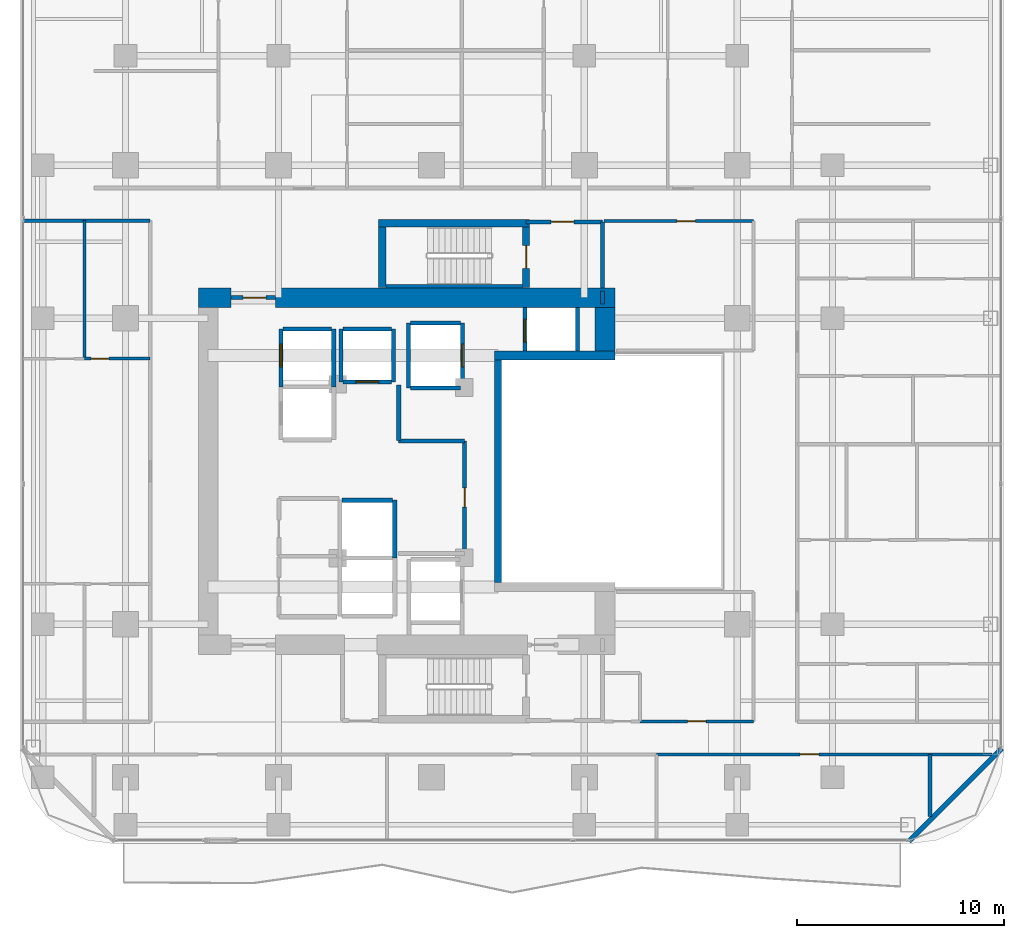
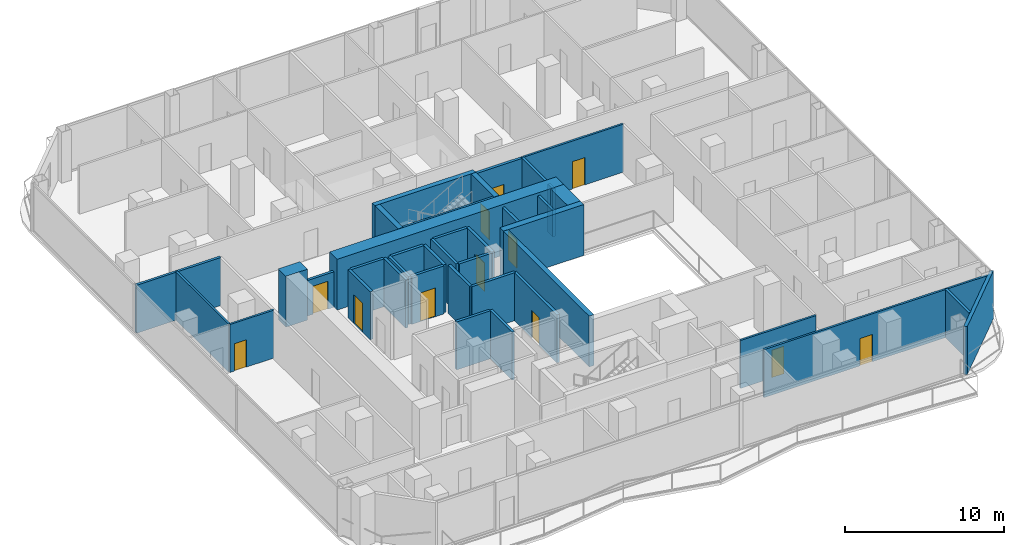
# One storey, part 21 of 27: 39 walls, 12 doors, 12 openings.
"""IFC4 building model written with IfcOpenShell, lengths in metres."""

import ifcopenshell
import ifcopenshell.guid

model = None  # the IFC model being written
_history = None  # IfcOwnerHistory: only IFC2X3 demands one
_inside = {}  # id of a spatial element -> (the spatial element, [elements in it])
_under = {}  # id of a project, library or spatial element -> (it, [spatial elements below it])
_declared = {}  # id of a project -> (the project, [libraries it declares])
_typed = {}  # id of a type object -> (the type object, [elements of that type])
_made_of = {}  # id of a material, layer set ... -> (it, [elements and type objects made of it])


def new_model(schema):
    """Start an empty IFC model of exactly this schema.

    Asked for "IFC4X3", IfcOpenShell would pick the latest addendum, in which some entities
    have other attributes; the version numbers below select the first issue.
    IFC2X3 requires an IfcOwnerHistory on every rooted entity: one is made here for all.
    """
    global model, _history
    if schema == "IFC4X3":
        model = ifcopenshell.file(schema_version=(4, 3, 0, 0))
    else:
        model = ifcopenshell.file(schema=schema)
    _inside.clear()
    _under.clear()
    _declared.clear()
    _typed.clear()
    _made_of.clear()
    _history = None
    if model.schema == "IFC2X3":
        org = make("IfcOrganization", Name="unknown")
        user = make(
            "IfcPersonAndOrganization",
            ThePerson=make("IfcPerson", FamilyName="unknown"),
            TheOrganization=org,
        )
        app = make(
            "IfcApplication",
            ApplicationDeveloper=org,
            Version="unknown",
            ApplicationFullName="unknown",
            ApplicationIdentifier="unknown",
        )
        _history = make(
            "IfcOwnerHistory",
            OwningUser=user,
            OwningApplication=app,
            ChangeAction="ADDED",
            CreationDate=0,
        )
    return model


def make(cls, **values):
    """One entity of the class cls with the attributes given. An attribute that is None is left unset."""
    return model.create_entity(
        cls, **{name: value for name, value in values.items() if value is not None}
    )


def rooted(cls, **values):
    """An entity with a GlobalId (a new one), such as an element, a storey or a relation."""
    return make(cls, GlobalId=ifcopenshell.guid.new(), OwnerHistory=_history, **values)


def si_unit(unit_type, name, prefix=None):
    """IfcSIUnit, for example si_unit("LENGTHUNIT", "METRE", prefix="MILLI")."""
    return make("IfcSIUnit", UnitType=unit_type, Prefix=prefix, Name=name)


def assignment(units):
    """IfcUnitAssignment: the units of a project."""
    return None if units is None else make("IfcUnitAssignment", Units=units)


def point(xyz):
    """IfcCartesianPoint."""
    return None if xyz is None else make("IfcCartesianPoint", Coordinates=xyz)


def direction(xyz):
    """IfcDirection."""
    return None if xyz is None else make("IfcDirection", DirectionRatios=xyz)


def frame(location, z_axis=None, x_axis=None):
    """IfcAxis2Placement3D, a coordinate frame: its origin and axes. An axis left out is left unset."""
    return make(
        "IfcAxis2Placement3D",
        Location=point(location),
        Axis=direction(z_axis),
        RefDirection=direction(x_axis),
    )


def frame_2d(location, x_axis=None):
    """IfcAxis2Placement2D, a coordinate frame in the plane: its origin and x axis."""
    return make(
        "IfcAxis2Placement2D", Location=point(location), RefDirection=direction(x_axis)
    )


def origin():
    """The frame at (0, 0, 0) with its axes left unset."""
    return frame((0.0, 0.0, 0.0))


def place(relative_to, where):
    """IfcLocalPlacement: puts the frame where relative to a parent placement (None: the world)."""
    return make(
        "IfcLocalPlacement", PlacementRelTo=relative_to, RelativePlacement=where
    )


def context(
    kind, dimensions, precision=None, world=None, true_north=None, identifier=None
):
    """IfcGeometricRepresentationContext, for example the 3D "Model" context."""
    return make(
        "IfcGeometricRepresentationContext",
        ContextIdentifier=identifier,
        ContextType=kind,
        CoordinateSpaceDimension=dimensions,
        Precision=precision,
        WorldCoordinateSystem=world,
        TrueNorth=true_north,
    )


def subcontext(parent, identifier, kind, view, scale=None):
    """IfcGeometricRepresentationSubContext, for example "Body" below "Model"."""
    return make(
        "IfcGeometricRepresentationSubContext",
        ContextIdentifier=identifier,
        ContextType=kind,
        ParentContext=parent,
        TargetScale=scale,
        TargetView=view,
    )


def project(units=None, contexts=None):
    """IfcProject with its units and contexts."""
    return rooted(
        "IfcProject",
        Name="project",
        RepresentationContexts=contexts,
        UnitsInContext=assignment(units),
    )


def spatial(cls, under=None, at=None, **own):
    """A site, building, storey or space (cls), placed at a placement, below another one or the project."""
    s = rooted(cls, ObjectPlacement=at, **own)
    if under is not None:
        _under.setdefault(under.id(), (under, []))[1].append(s)
    return s


def profile(cls, at=None, kind="AREA", **sizes):
    """A parametric profile (cls). Its sizes go by their IFC names, for example OverallWidth=200.0."""
    return make(cls, ProfileType=kind, Position=at, **sizes)


def rectangle(**sizes):
    """IfcRectangleProfileDef."""
    return profile("IfcRectangleProfileDef", **sizes)


def extrude(swept, where, along, depth):
    """IfcExtrudedAreaSolid: the profile swept, set in the frame where, extruded along a direction by depth."""
    return make(
        "IfcExtrudedAreaSolid",
        SweptArea=swept,
        Position=where,
        ExtrudedDirection=direction(along),
        Depth=depth,
    )


def shape(context_of_items, identifier, shape_type, items):
    """IfcShapeRepresentation: the items that make up one representation, for example the "Body"."""
    return make(
        "IfcShapeRepresentation",
        ContextOfItems=context_of_items,
        RepresentationIdentifier=identifier,
        RepresentationType=shape_type,
        Items=items,
    )


def material(Name=None, Category=None):
    """IfcMaterial."""
    return make("IfcMaterial", Name=Name, Category=Category)


def layer(
    of_material, thickness, ventilated=None, Name=None, Category=None, Priority=None
):
    """IfcMaterialLayer: one layer of a wall or slab, of a material (None: an air gap)."""
    return make(
        "IfcMaterialLayer",
        Material=of_material,
        LayerThickness=thickness,
        IsVentilated=ventilated,
        Name=Name,
        Category=Category,
        Priority=Priority,
    )


def layer_set(layers, Name=None):
    """IfcMaterialLayerSet."""
    return make("IfcMaterialLayerSet", MaterialLayers=layers, LayerSetName=Name)


def made_of(thing, what):
    """Note that an element or type object is made of a material, layer set ...; save() writes the relation."""
    if what is not None:
        _made_of.setdefault(what.id(), (what, []))[1].append(thing)
    return thing


def type_object(cls, material=None, **own):
    """A type object (cls), such as IfcWallType, which elements share."""
    return made_of(rooted(cls, **own), material)


def element(
    cls,
    number,
    at=None,
    inside=None,
    cuts=None,
    type_object=None,
    material=None,
    context=None,
    identifier="Body",
    shape_type=None,
    held_by="IfcProductDefinitionShape",
    body=None,
    shapes=None,
    **own,
):
    """One element of the class cls, such as IfcWall. Its Tag is "e" and its number.

    at: its placement. inside: the storey or other place that contains it. cuts: it is an
    opening in that element (IfcRelVoidsElement). A single representation is given by context,
    identifier, shape_type and body (its items); several are given by shapes. held_by: the class
    of the entity that holds the representations. save() writes the other relations.
    """
    e = rooted(cls, Tag="e%d" % number, ObjectPlacement=at, **own)
    if body is not None:
        shapes = [shape(context, identifier, shape_type, body)]
    if shapes is not None:
        e.Representation = make(held_by, Representations=shapes)
    if inside is not None:
        _inside.setdefault(inside.id(), (inside, []))[1].append(e)
    if cuts is not None:
        rooted(
            "IfcRelVoidsElement", RelatingBuildingElement=cuts, RelatedOpeningElement=e
        )
    if type_object is not None:
        _typed.setdefault(type_object.id(), (type_object, []))[1].append(e)
    return made_of(e, material)


def fill(opening, filler):
    """IfcRelFillsElement: the door or window that sits in an opening."""
    return rooted(
        "IfcRelFillsElement",
        RelatingOpeningElement=opening,
        RelatedBuildingElement=filler,
    )


def aggregate(whole, parts):
    """IfcRelAggregates: a whole, such as a stair, and the parts it consists of."""
    return rooted("IfcRelAggregates", RelatingObject=whole, RelatedObjects=parts)


def save(model, path):
    """Write the relations noted so far, then the file.

    IfcRelAggregates (storeys below a building ...), IfcRelContainedInSpatialStructure (elements
    in a storey), IfcRelDefinesByType, IfcRelAssociatesMaterial and IfcRelDeclares: one each for
    every whole, place, type object, material and project.
    """
    for whole, parts in _under.values():
        aggregate(whole, parts)
    for where, things in _inside.values():
        rooted(
            "IfcRelContainedInSpatialStructure",
            RelatedElements=things,
            RelatingStructure=where,
        )
    for kind, things in _typed.values():
        rooted("IfcRelDefinesByType", RelatedObjects=things, RelatingType=kind)
    for what, things in _made_of.values():
        rooted("IfcRelAssociatesMaterial", RelatedObjects=things, RelatingMaterial=what)
    for by, libraries in _declared.values():
        rooted("IfcRelDeclares", RelatingContext=by, RelatedDefinitions=libraries)
    model.write(path)


model = new_model("IFC4")

# Units and contexts
model_context = context("Model", 3, precision=1e-05, world=origin(), true_north=direction((0.0, 1.0)))
body_context = subcontext(model_context, "Body", "Model", "MODEL_VIEW")
ifc_project = project(units=[si_unit("LENGTHUNIT", "METRE"), si_unit("AREAUNIT", "SQUARE_METRE"), si_unit("VOLUMEUNIT", "CUBIC_METRE"), si_unit("PLANEANGLEUNIT", "RADIAN"), si_unit("MASSUNIT", "GRAM", prefix="KILO")], contexts=[model_context])

# Site, building, storey
site_placement = place(None, origin())
site = spatial("IfcSite", under=ifc_project, at=site_placement, CompositionType="ELEMENT")
building_placement = place(site_placement, origin())
building = spatial("IfcBuilding", under=site, at=building_placement, Name="Khorvyn Point Tower", CompositionType="ELEMENT")
storey_placement = place(building_placement, frame((0.0, 0.0, 129.0)))
storey = spatial("IfcBuildingStorey", under=building, at=storey_placement, Name="L32", CompositionType="ELEMENT", Elevation=129.0)

# Walls
ifc_material_1 = material(Name="Double acoustic gypsum on twin steel stud", Category="steel")
ifc_layer_1 = layer(ifc_material_1, 0.179931640625)
ifc_layer_set_1 = layer_set([ifc_layer_1], Name="Acoustic Double-Stud Apartment Demising Wall 180")
wall_type_1 = type_object("IfcWallType", Name="Acoustic Double-Stud Apartment Demising Wall 180", PredefinedType="PARTITIONING", material=ifc_layer_set_1)
wall_1_placement = place(storey_placement, frame((24.1201171875, -16.7099609375, 0.0), z_axis=(0.0, 0.0, 1.0), x_axis=(0.0, 1.0, 0.0)))
element("IfcWall", 1, at=wall_1_placement, inside=storey, type_object=wall_type_1, Name="Wall", PredefinedType="PARTITIONING", context=body_context, shape_type="SweptSolid", body=[
    extrude(rectangle(XDim=3.010009765625, YDim=0.179931640625, at=frame_2d((1.5048828125, 0.0))), origin(), (0.0, 0.0, 1.0), 3.679931640625),
])
wall_2_placement = place(storey_placement, frame((-19.72998046875, 12.1201171875, 0.0), z_axis=(0.0, 0.0, 1.0), x_axis=(1.0, 0.0, 0.0)))
element("IfcWall", 2, at=wall_2_placement, inside=storey, type_object=wall_type_1, Name="Wall", PredefinedType="PARTITIONING", context=body_context, shape_type="SweptSolid", body=[
    extrude(rectangle(XDim=6.1298828125, YDim=0.179931640625, at=frame_2d((3.06494140625, 0.0))), origin(), (0.0, 0.0, 1.0), 3.679931640625),
])
ifc_material_2 = material(Name="Pale anodised aluminium rainscreen on steel stud", Category="steel")
ifc_layer_2 = layer(ifc_material_2, 0.239990234375)
ifc_layer_set_2 = layer_set([ifc_layer_2], Name="Anodised Aluminium Insulated Corner Spandrel Wall 240")
wall_type_2 = type_object("IfcWallType", Name="Anodised Aluminium Insulated Corner Spandrel Wall 240", PredefinedType="SOLIDWALL", material=ifc_layer_set_2)
wall_3_placement = place(storey_placement, frame((27.59228515625, -13.40771484375, 0.0), z_axis=(0.0, 0.0, 1.0), x_axis=(-0.707106781187, -0.707106781187, 0.0)))
element("IfcWall", 3, at=wall_3_placement, inside=storey, type_object=wall_type_2, Name="L32 Rounded Corner Wall SE", PredefinedType="SOLIDWALL", context=body_context, shape_type="SweptSolid", body=[
    extrude(rectangle(XDim=6.34228515625, YDim=0.239990234375, at=frame_2d((3.171142578125, 0.0))), origin(), (0.0, 0.0, 1.0), 3.679931640625),
])
ifc_material_3 = material(Name="Concrete C40/50", Category="concrete")
ifc_layer_3 = layer(ifc_material_3, 0.449951171875)
ifc_layer_set_3 = layer_set([ifc_layer_3], Name="Concrete C40/50 Core Shear Wall 450")
wall_type_3 = type_object("IfcWallType", Name="Concrete C40/50 Core Shear Wall 450", PredefinedType="SHEAR", material=ifc_layer_set_3)
wall_4_placement = place(storey_placement, frame((3.044921875, 5.60009765625, 0.0), z_axis=(0.0, 0.0, 1.0), x_axis=(1.0, 0.0, 0.0)))
element("IfcWall", 4, at=wall_4_placement, inside=storey, type_object=wall_type_3, Name="Wall", PredefinedType="SHEAR", context=body_context, shape_type="SweptSolid", body=[
    extrude(rectangle(XDim=5.830078125, YDim=0.449951171875, at=frame_2d((2.9150390625, 0.0))), origin(), (0.0, 0.0, 1.0), 3.89990234375),
])

# Wall, opening, door
ifc_layer_4 = layer(ifc_material_3, 0.199951171875)
ifc_layer_set_4 = layer_set([ifc_layer_4], Name="Concrete C40/50 Fire-Lobby Compartment Wall 200")
wall_type_4 = type_object("IfcWallType", Name="Concrete C40/50 Fire-Lobby Compartment Wall 200", PredefinedType="SOLIDWALL", material=ifc_layer_set_4)
wall_5_placement = place(storey_placement, frame((4.580078125, 12.06005859375, 0.0), z_axis=(0.0, 0.0, 1.0), x_axis=(1.0, 0.0, 0.0)))
wall_5 = element("IfcWall", 5, at=wall_5_placement, inside=storey, type_object=wall_type_4, Name="Wall", PredefinedType="SOLIDWALL", context=body_context, shape_type="SweptSolid", body=[
    extrude(rectangle(XDim=3.699951171875, YDim=0.199951171875, at=frame_2d((1.85009765625, 0.0))), origin(), (0.0, 0.0, 1.0), 3.679931640625),
])
opening_1_placement = place(wall_5_placement, frame((1.21240234375, 0.0, 0.0)))
opening_1 = element("IfcOpeningElement", 6, at=opening_1_placement, cuts=wall_5, Name="Opening ID-FL90", PredefinedType="OPENING", context=body_context, shape_type="SweptSolid", body=[
    extrude(rectangle(XDim=1.10009765625, YDim=2.14990234375, at=frame_2d((0.550048828125, 1.074951171875))), frame((0.0, 0.10986328125, 0.0), z_axis=(0.0, -1.0, 0.0), x_axis=(1.0, 0.0, 0.0)), (0.0, 0.0, 1.0), 0.219970703125),
])
ifc_material_4 = material(Name="Galvanised powder-coated steel", Category="steel")
door_type_1 = type_object("IfcDoorType", Name="Fire-Rated Steel Lobby and Stair Door 1100x2150", OperationType="NOTDEFINED", PredefinedType="DOOR", material=ifc_material_4)
door_1_placement = place(opening_1_placement, origin())
door_1 = element("IfcDoor", 7, at=door_1_placement, inside=storey, type_object=door_type_1, Name="Door", OperationType="SINGLE_SWING_RIGHT", OverallHeight=2.14990234375, OverallWidth=1.10009765625, PredefinedType="DOOR", context=body_context, shape_type="SweptSolid", body=[
    extrude(rectangle(XDim=1.10009765625, YDim=2.14990234375, at=frame_2d((0.550048828125, 1.074951171875))), frame((0.0, 0.02490234375, 0.0), z_axis=(0.0, -1.0, 0.0), x_axis=(1.0, 0.0, 0.0)), (0.0, 0.0, 1.0), 0.050048828125),
])
fill(opening_1, door_1)

wall_6_placement = place(storey_placement, frame((-9.699951171875, 8.39990234375, 0.0), z_axis=(0.0, 0.0, 1.0), x_axis=(1.0, 0.0, 0.0)))
wall_6 = element("IfcWall", 8, at=wall_6_placement, inside=storey, type_object=wall_type_4, Name="Wall", PredefinedType="SOLIDWALL", context=body_context, shape_type="SweptSolid", body=[
    extrude(rectangle(XDim=2.14990234375, YDim=0.199951171875, at=frame_2d((1.074951171875, 0.0))), origin(), (0.0, 0.0, 1.0), 2.719970703125),
])
opening_2_placement = place(wall_6_placement, frame((0.597900390625, 0.0, 0.0)))
opening_2 = element("IfcOpeningElement", 9, at=opening_2_placement, cuts=wall_6, Name="Opening ID-FL90", PredefinedType="OPENING", context=body_context, shape_type="SweptSolid", body=[
    extrude(rectangle(XDim=1.10009765625, YDim=2.14990234375, at=frame_2d((0.550048828125, 1.074951171875))), frame((0.0, 0.10986328125, 0.0), z_axis=(0.0, -1.0, 0.0), x_axis=(1.0, 0.0, 0.0)), (0.0, 0.0, 1.0), 0.219970703125),
])
door_2_placement = place(opening_2_placement, origin())
door_2 = element("IfcDoor", 10, at=door_2_placement, inside=storey, type_object=door_type_1, Name="Door", OperationType="SINGLE_SWING_RIGHT", OverallHeight=2.14990234375, OverallWidth=1.10009765625, PredefinedType="DOOR", context=body_context, shape_type="SweptSolid", body=[
    extrude(rectangle(XDim=1.10009765625, YDim=2.14990234375, at=frame_2d((0.550048828125, 1.074951171875))), frame((0.0, 0.02490234375, 0.0), z_axis=(0.0, -1.0, 0.0), x_axis=(1.0, 0.0, 0.0)), (0.0, 0.0, 1.0), 0.050048828125),
])
fill(opening_2, door_2)

wall_7_placement = place(storey_placement, frame((1.610107421875, -3.97998046875, 0.0), z_axis=(0.0, 0.0, 1.0), x_axis=(0.0, 1.0, 0.0)))
wall_7 = element("IfcWall", 11, at=wall_7_placement, inside=storey, type_object=wall_type_4, Name="Wall", PredefinedType="SOLIDWALL", context=body_context, shape_type="SweptSolid", body=[
    extrude(rectangle(XDim=5.43994140625, YDim=0.199951171875, at=frame_2d((2.719970703125, 0.0))), origin(), (0.0, 0.0, 1.0), 3.679931640625),
])
opening_3_placement = place(wall_7_placement, frame((2.260009765625, 0.0, 0.0)))
opening_3 = element("IfcOpeningElement", 12, at=opening_3_placement, cuts=wall_7, Name="Opening ID-RS60", PredefinedType="OPENING", context=body_context, shape_type="SweptSolid", body=[
    extrude(rectangle(XDim=0.919921875, YDim=2.10009765625, at=frame_2d((0.4599609375, 1.050048828125))), frame((0.0, 0.10986328125, 0.0), z_axis=(0.0, -1.0, 0.0), x_axis=(1.0, 0.0, 0.0)), (0.0, 0.0, 1.0), 0.219970703125),
])
door_type_2 = type_object("IfcDoorType", Name="Fire-Rated Riser and Store Steel Door 920x2100", OperationType="NOTDEFINED", PredefinedType="DOOR", material=ifc_material_4)
door_3_placement = place(opening_3_placement, origin())
door_3 = element("IfcDoor", 13, at=door_3_placement, inside=storey, type_object=door_type_2, Name="Door", OperationType="SINGLE_SWING_RIGHT", OverallHeight=2.10009765625, OverallWidth=0.919921875, PredefinedType="DOOR", context=body_context, shape_type="SweptSolid", body=[
    extrude(rectangle(XDim=0.919921875, YDim=2.10009765625, at=frame_2d((0.4599609375, 1.050048828125))), frame((0.0, 0.02490234375, 0.0), z_axis=(0.0, -1.0, 0.0), x_axis=(1.0, 0.0, 0.0)), (0.0, 0.0, 1.0), 0.050048828125),
])
fill(opening_3, door_3)

# Walls
wall_8_placement = place(storey_placement, frame((8.280029296875, 8.875, 0.0), z_axis=(0.0, 0.0, 1.0), x_axis=(0.0, 1.0, 0.0)))
element("IfcWall", 14, at=wall_8_placement, inside=storey, type_object=wall_type_4, Name="Wall", PredefinedType="SOLIDWALL", context=body_context, shape_type="SweptSolid", body=[
    extrude(rectangle(XDim=3.18505859375, YDim=0.199951171875, at=frame_2d((1.592529296875, 0.0))), origin(), (0.0, 0.0, 1.0), 3.679931640625),
])
wall_9_placement = place(storey_placement, frame((-1.580078125, 1.47998046875, 0.0), z_axis=(0.0, 0.0, 1.0), x_axis=(0.0, 1.0, 0.0)))
element("IfcWall", 15, at=wall_9_placement, inside=storey, type_object=wall_type_4, Name="Wall", PredefinedType="SOLIDWALL", context=body_context, shape_type="SweptSolid", body=[
    extrude(rectangle(XDim=2.699951171875, YDim=0.199951171875, at=frame_2d((1.35009765625, 0.0))), origin(), (0.0, 0.0, 1.0), 3.679931640625),
])
wall_10_placement = place(storey_placement, frame((-1.580078125, 1.4599609375, 0.0), z_axis=(0.0, 0.0, 1.0), x_axis=(1.0, 0.0, 0.0)))
element("IfcWall", 16, at=wall_10_placement, inside=storey, type_object=wall_type_4, Name="Wall", PredefinedType="SOLIDWALL", context=body_context, shape_type="SweptSolid", body=[
    extrude(rectangle(XDim=3.190185546875, YDim=0.199951171875, at=frame_2d((1.59521484375, 0.0))), origin(), (0.0, 0.0, 1.0), 3.679931640625),
])
wall_11_placement = place(storey_placement, frame((8.280029296875, 8.10009765625, 0.0), z_axis=(0.0, 0.0, 1.0), x_axis=(0.0, 1.0, 0.0)))
element("IfcWall", 17, at=wall_11_placement, inside=storey, type_object=wall_type_4, Name="Wall", PredefinedType="SOLIDWALL", context=body_context, shape_type="SweptSolid", body=[
    extrude(rectangle(XDim=0.625, YDim=0.199951171875, at=frame_2d((0.3125, 0.0))), origin(), (0.0, 0.0, 1.0), 3.679931640625),
])
ifc_layer_5 = layer(ifc_material_3, 0.25)
ifc_layer_set_5 = layer_set([ifc_layer_5], Name="Concrete C40/50 Stair Inner Cheek Structural Wall 250")
wall_type_5 = type_object("IfcWallType", Name="Concrete C40/50 Stair Inner Cheek Structural Wall 250", PredefinedType="SHEAR", material=ifc_layer_set_5)
wall_12_placement = place(storey_placement, frame((-2.199951171875, 8.949951171875, 0.0), z_axis=(0.0, 0.0, 1.0), x_axis=(1.0, 0.0, 0.0)))
element("IfcWall", 18, at=wall_12_placement, inside=storey, type_object=wall_type_5, Name="Wall", PredefinedType="SHEAR", context=body_context, shape_type="SweptSolid", body=[
    extrude(rectangle(XDim=6.599853515625, YDim=0.14990234375, at=frame_2d((3.2998046875, 0.0))), origin(), (0.0, 0.0, 1.0), 3.89990234375),
])
ifc_layer_6 = layer(ifc_material_3, 0.35009765625)
ifc_layer_set_6 = layer_set([ifc_layer_6], Name="Concrete C40/50 Stair Shaft Structural Wall 350")
wall_type_6 = type_object("IfcWallType", Name="Concrete C40/50 Stair Shaft Structural Wall 350", PredefinedType="SHEAR", material=ifc_layer_set_6)
wall_13_placement = place(storey_placement, frame((3.219970703125, -5.375, 0.0), z_axis=(0.0, 0.0, 1.0), x_axis=(0.0, 1.0, 0.0)))
element("IfcWall", 19, at=wall_13_placement, inside=storey, type_object=wall_type_6, Name="Wall", PredefinedType="SHEAR", context=body_context, shape_type="SweptSolid", body=[
    extrude(rectangle(XDim=10.75, YDim=0.35009765625, at=frame_2d((5.375, 0.0))), origin(), (0.0, 0.0, 1.0), 3.89990234375),
])
wall_14_placement = place(storey_placement, frame((-2.554931640625, 12.0, 0.0), z_axis=(0.0, 0.0, 1.0), x_axis=(1.0, 0.0, 0.0)))
element("IfcWall", 20, at=wall_14_placement, inside=storey, type_object=wall_type_6, Name="L32 ST-02 North Shaft Wall", PredefinedType="SHEAR", context=body_context, shape_type="SweptSolid", body=[
    extrude(rectangle(XDim=7.309814453125, YDim=0.35009765625, at=frame_2d((3.65478515625, 0.0))), origin(), (0.0, 0.0, 1.0), 3.89990234375),
])
wall_15_placement = place(storey_placement, frame((-2.3798828125, 8.89990234375, 0.0), z_axis=(0.0, 0.0, 1.0), x_axis=(0.0, 1.0, 0.0)))
element("IfcWall", 21, at=wall_15_placement, inside=storey, type_object=wall_type_6, Name="L32 ST-02 West Shaft Wall", PredefinedType="SHEAR", context=body_context, shape_type="SweptSolid", body=[
    extrude(rectangle(XDim=2.925048828125, YDim=0.35009765625, at=frame_2d((1.46240234375, 0.0))), origin(), (0.0, 0.0, 1.0), 3.89990234375),
])

# Wall, opening, door
wall_16_placement = place(storey_placement, frame((4.580078125, 11.824951171875, 0.0), z_axis=(0.0, 0.0, 1.0), x_axis=(0.0, -1.0, 0.0)))
wall_16 = element("IfcWall", 22, at=wall_16_placement, inside=storey, type_object=wall_type_6, Name="L32 ST-02 East Landing Door Wall", PredefinedType="SHEAR", context=body_context, shape_type="SweptSolid", body=[
    extrude(rectangle(XDim=2.925048828125, YDim=0.35009765625, at=frame_2d((1.46240234375, 0.0))), origin(), (0.0, 0.0, 1.0), 3.89990234375),
])
opening_4_placement = place(wall_16_placement, frame((0.91259765625, 0.0, 0.0)))
opening_4 = element("IfcOpeningElement", 23, at=opening_4_placement, cuts=wall_16, Name="Opening ID-FL90", PredefinedType="OPENING", context=body_context, shape_type="SweptSolid", body=[
    extrude(rectangle(XDim=1.10009765625, YDim=2.14990234375, at=frame_2d((0.550048828125, 1.074951171875))), frame((0.0, 0.18505859375, 0.0), z_axis=(0.0, -1.0, 0.0), x_axis=(1.0, 0.0, 0.0)), (0.0, 0.0, 1.0), 0.3701171875),
])
door_4_placement = place(opening_4_placement, origin())
door_4 = element("IfcDoor", 24, at=door_4_placement, inside=storey, type_object=door_type_1, Name="L32 ST-02 Smokeproof Landing Door", OperationType="SINGLE_SWING_LEFT", OverallHeight=2.14990234375, OverallWidth=1.10009765625, PredefinedType="DOOR", context=body_context, shape_type="SweptSolid", body=[
    extrude(rectangle(XDim=1.10009765625, YDim=2.14990234375, at=frame_2d((0.550048828125, 1.074951171875))), frame((0.0, 0.02490234375, 0.0), z_axis=(0.0, -1.0, 0.0), x_axis=(1.0, 0.0, 0.0)), (0.0, 0.0, 1.0), 0.050048828125),
])
fill(opening_4, door_4)

ifc_layer_7 = layer(ifc_material_3, 0.199951171875)
ifc_layer_set_7 = layer_set([ifc_layer_7], Name="Concrete C40/50 Structural Hoistway and Stair Shaft Wall 200")
wall_type_7 = type_object("IfcWallType", Name="Concrete C40/50 Structural Hoistway and Stair Shaft Wall 200", PredefinedType="SHEAR", material=ifc_layer_set_7)
wall_17_placement = place(storey_placement, frame((-7.27490234375, 4.074951171875, 0.0), z_axis=(0.0, 0.0, 1.0), x_axis=(0.0, 1.0, 0.0)))
wall_17 = element("IfcWall", 25, at=wall_17_placement, inside=storey, type_object=wall_type_7, Name="Wall", PredefinedType="SHEAR", context=body_context, shape_type="SweptSolid", body=[
    extrude(rectangle(XDim=2.800048828125, YDim=0.199951171875, at=frame_2d((1.39990234375, 0.0))), origin(), (0.0, 0.0, 1.0), 3.679931640625),
])
opening_5_placement = place(wall_17_placement, frame((0.97509765625, 0.0, 0.0)))
opening_5 = element("IfcOpeningElement", 26, at=opening_5_placement, cuts=wall_17, Name="Opening LD-1122", PredefinedType="OPENING", context=body_context, shape_type="SweptSolid", body=[
    extrude(rectangle(XDim=1.10009765625, YDim=2.199951171875, at=frame_2d((0.550048828125, 1.10009765625))), frame((0.0, 0.10986328125, 0.0), z_axis=(0.0, -1.0, 0.0), x_axis=(1.0, 0.0, 0.0)), (0.0, 0.0, 1.0), 0.219970703125),
])
ifc_material_5 = material(Name="Stainless steel 1.4301", Category="steel")
door_type_3 = type_object("IfcDoorType", Name="Stainless Steel Automatic Sliding Lift Landing Door 1100x2200", OperationType="SLIDING_TO_LEFT", PredefinedType="DOOR", material=ifc_material_5)
door_5_placement = place(opening_5_placement, origin())
door_5 = element("IfcDoor", 27, at=door_5_placement, inside=storey, type_object=door_type_3, Name="L32 RM-02 Sliding Lift Landing Door", OperationType="SLIDING_TO_LEFT", OverallHeight=2.199951171875, OverallWidth=1.10009765625, PredefinedType="DOOR", context=body_context, shape_type="SweptSolid", body=[
    extrude(rectangle(XDim=1.10009765625, YDim=2.199951171875, at=frame_2d((0.550048828125, 1.10009765625))), frame((0.0, 0.02490234375, 0.0), z_axis=(0.0, -1.0, 0.0), x_axis=(1.0, 0.0, 0.0)), (0.0, 0.0, 1.0), 0.050048828125),
])
fill(opening_5, door_5)

# Walls
wall_18_placement = place(storey_placement, frame((-4.72509765625, 4.074951171875, 0.0), z_axis=(0.0, 0.0, 1.0), x_axis=(0.0, 1.0, 0.0)))
element("IfcWall", 28, at=wall_18_placement, inside=storey, type_object=wall_type_7, Name="Wall", PredefinedType="SHEAR", context=body_context, shape_type="SweptSolid", body=[
    extrude(rectangle(XDim=2.800048828125, YDim=0.199951171875, at=frame_2d((1.39990234375, 0.0))), origin(), (0.0, 0.0, 1.0), 3.679931640625),
])
wall_19_placement = place(storey_placement, frame((-7.175048828125, 6.875, 0.0), z_axis=(0.0, 0.0, 1.0), x_axis=(1.0, 0.0, 0.0)))
element("IfcWall", 29, at=wall_19_placement, inside=storey, type_object=wall_type_7, Name="Wall", PredefinedType="SHEAR", context=body_context, shape_type="SweptSolid", body=[
    extrude(rectangle(XDim=2.35009765625, YDim=0.199951171875, at=frame_2d((1.175048828125, 0.0))), origin(), (0.0, 0.0, 1.0), 3.679931640625),
])
for number, where, z_axis, x_axis, name in (
    (30, (-4.375, 4.324951171875, 0.0), (0.0, 0.0, 1.0), (0.0, 1.0, 0.0), "Wall"),
    (31, (-1.824951171875, 4.324951171875, 0.0), (0.0, 0.0, 1.0), (0.0, 1.0, 0.0), "Wall"),
):
    element("IfcWall", number, at=place(storey_placement, frame(where, z_axis=z_axis, x_axis=x_axis)), inside=storey, type_object=wall_type_7, Name=name, PredefinedType="SHEAR", context=body_context, shape_type="SweptSolid", body=[
        extrude(rectangle(XDim=2.550048828125, YDim=0.199951171875, at=frame_2d((1.27490234375, 0.0))), origin(), (0.0, 0.0, 1.0), 3.679931640625),
    ])

# Wall, opening, door
wall_20_placement = place(storey_placement, frame((-4.27490234375, 4.324951171875, 0.0), z_axis=(0.0, 0.0, 1.0), x_axis=(1.0, 0.0, 0.0)))
wall_20 = element("IfcWall", 32, at=wall_20_placement, inside=storey, type_object=wall_type_7, Name="Wall", PredefinedType="SHEAR", context=body_context, shape_type="SweptSolid", body=[
    extrude(rectangle(XDim=2.349853515625, YDim=0.199951171875, at=frame_2d((1.1748046875, 0.0))), origin(), (0.0, 0.0, 1.0), 3.679931640625),
])
opening_6_placement = place(wall_20_placement, frame((0.625, 0.0, 0.0)))
opening_6 = element("IfcOpeningElement", 33, at=opening_6_placement, cuts=wall_20, Name="Opening LD-1122", PredefinedType="OPENING", context=body_context, shape_type="SweptSolid", body=[
    extrude(rectangle(XDim=1.10009765625, YDim=2.199951171875, at=frame_2d((0.550048828125, 1.10009765625))), frame((0.0, 0.10986328125, 0.0), z_axis=(0.0, -1.0, 0.0), x_axis=(1.0, 0.0, 0.0)), (0.0, 0.0, 1.0), 0.219970703125),
])
door_6_placement = place(opening_6_placement, origin())
door_6 = element("IfcDoor", 34, at=door_6_placement, inside=storey, type_object=door_type_3, Name="L32 RM-03 Sliding Lift Landing Door", OperationType="SLIDING_TO_LEFT", OverallHeight=2.199951171875, OverallWidth=1.10009765625, PredefinedType="DOOR", context=body_context, shape_type="SweptSolid", body=[
    extrude(rectangle(XDim=1.10009765625, YDim=2.199951171875, at=frame_2d((0.550048828125, 1.10009765625))), frame((0.0, 0.02490234375, 0.0), z_axis=(0.0, -1.0, 0.0), x_axis=(1.0, 0.0, 0.0)), (0.0, 0.0, 1.0), 0.050048828125),
])
fill(opening_6, door_6)

# Walls
wall_21_placement = place(storey_placement, frame((-4.27490234375, 6.875, 0.0), z_axis=(0.0, 0.0, 1.0), x_axis=(1.0, 0.0, 0.0)))
element("IfcWall", 35, at=wall_21_placement, inside=storey, type_object=wall_type_7, Name="Wall", PredefinedType="SHEAR", context=body_context, shape_type="SweptSolid", body=[
    extrude(rectangle(XDim=2.349853515625, YDim=0.199951171875, at=frame_2d((1.1748046875, 0.0))), origin(), (0.0, 0.0, 1.0), 3.679931640625),
])
wall_22_placement = place(storey_placement, frame((-1.77490234375, -4.199951171875, 0.0), z_axis=(0.0, 0.0, 1.0), x_axis=(0.0, 1.0, 0.0)))
element("IfcWall", 36, at=wall_22_placement, inside=storey, type_object=wall_type_7, Name="Wall", PredefinedType="SHEAR", context=body_context, shape_type="SweptSolid", body=[
    extrude(rectangle(XDim=2.800048828125, YDim=0.199951171875, at=frame_2d((1.39990234375, 0.0))), origin(), (0.0, 0.0, 1.0), 3.679931640625),
])
wall_23_placement = place(storey_placement, frame((-4.324951171875, -1.39990234375, 0.0), z_axis=(0.0, 0.0, 1.0), x_axis=(1.0, 0.0, 0.0)))
element("IfcWall", 37, at=wall_23_placement, inside=storey, type_object=wall_type_7, Name="Wall", PredefinedType="SHEAR", context=body_context, shape_type="SweptSolid", body=[
    extrude(rectangle(XDim=2.449951171875, YDim=0.199951171875, at=frame_2d((1.22509765625, 0.0))), origin(), (0.0, 0.0, 1.0), 3.679931640625),
])
wall_24_placement = place(storey_placement, frame((-1.10009765625, 4.02490234375, 0.0), z_axis=(0.0, 0.0, 1.0), x_axis=(0.0, 1.0, 0.0)))
element("IfcWall", 38, at=wall_24_placement, inside=storey, type_object=wall_type_7, Name="Wall", PredefinedType="SHEAR", context=body_context, shape_type="SweptSolid", body=[
    extrude(rectangle(XDim=3.150146484375, YDim=0.199951171875, at=frame_2d((1.5751953125, 0.0))), origin(), (0.0, 0.0, 1.0), 3.679931640625),
])

# Wall, opening, door
wall_25_placement = place(storey_placement, frame((1.5, 4.02490234375, 0.0), z_axis=(0.0, 0.0, 1.0), x_axis=(0.0, 1.0, 0.0)))
wall_25 = element("IfcWall", 39, at=wall_25_placement, inside=storey, type_object=wall_type_7, Name="Wall", PredefinedType="SHEAR", context=body_context, shape_type="SweptSolid", body=[
    extrude(rectangle(XDim=3.150146484375, YDim=0.199951171875, at=frame_2d((1.5751953125, 0.0))), origin(), (0.0, 0.0, 1.0), 3.679931640625),
])
opening_7_placement = place(wall_25_placement, frame((1.02490234375, 0.0, 0.0)))
opening_7 = element("IfcOpeningElement", 40, at=opening_7_placement, cuts=wall_25, Name="Opening LD-1122", PredefinedType="OPENING", context=body_context, shape_type="SweptSolid", body=[
    extrude(rectangle(XDim=1.10009765625, YDim=2.199951171875, at=frame_2d((0.550048828125, 1.10009765625))), frame((0.0, 0.10986328125, 0.0), z_axis=(0.0, -1.0, 0.0), x_axis=(1.0, 0.0, 0.0)), (0.0, 0.0, 1.0), 0.219970703125),
])
door_7_placement = place(opening_7_placement, origin())
door_7 = element("IfcDoor", 41, at=door_7_placement, inside=storey, type_object=door_type_3, Name="L32 SV-01 Sliding Lift Landing Door", OperationType="SLIDING_TO_LEFT", OverallHeight=2.199951171875, OverallWidth=1.10009765625, PredefinedType="DOOR", context=body_context, shape_type="SweptSolid", body=[
    extrude(rectangle(XDim=1.10009765625, YDim=2.199951171875, at=frame_2d((0.550048828125, 1.10009765625))), frame((0.0, 0.02490234375, 0.0), z_axis=(0.0, -1.0, 0.0), x_axis=(1.0, 0.0, 0.0)), (0.0, 0.0, 1.0), 0.050048828125),
])
fill(opening_7, door_7)

# Walls
for number, where, z_axis, x_axis, name in (
    (42, (-1.0, 4.02490234375, 0.0), (0.0, 0.0, 1.0), (1.0, 0.0, 0.0), "Wall"),
    (43, (-1.0, 7.175048828125, 0.0), (0.0, 0.0, 1.0), (1.0, 0.0, 0.0), "Wall"),
):
    element("IfcWall", number, at=place(storey_placement, frame(where, z_axis=z_axis, x_axis=x_axis)), inside=storey, type_object=wall_type_7, Name=name, PredefinedType="SHEAR", context=body_context, shape_type="SweptSolid", body=[
        extrude(rectangle(XDim=2.39990234375, YDim=0.199951171875, at=frame_2d((1.199951171875, 0.0))), origin(), (0.0, 0.0, 1.0), 3.679931640625),
    ])

# Wall, opening, door
wall_26_placement = place(storey_placement, frame((4.52490234375, 5.824951171875, 0.0), z_axis=(0.0, 0.0, 1.0), x_axis=(0.0, 1.0, 0.0)))
wall_26 = element("IfcWall", 44, at=wall_26_placement, inside=storey, type_object=wall_type_7, Name="Wall", PredefinedType="SHEAR", context=body_context, shape_type="SweptSolid", body=[
    extrude(rectangle(XDim=2.10009765625, YDim=0.199951171875, at=frame_2d((1.050048828125, 0.0))), origin(), (0.0, 0.0, 1.0), 3.679931640625),
])
opening_8_placement = place(wall_26_placement, frame((0.425048828125, 0.0, 0.0)))
opening_8 = element("IfcOpeningElement", 45, at=opening_8_placement, cuts=wall_26, Name="Opening LD-1122", PredefinedType="OPENING", context=body_context, shape_type="SweptSolid", body=[
    extrude(rectangle(XDim=1.10009765625, YDim=2.199951171875, at=frame_2d((0.550048828125, 1.10009765625))), frame((0.0, 0.10986328125, 0.0), z_axis=(0.0, -1.0, 0.0), x_axis=(1.0, 0.0, 0.0)), (0.0, 0.0, 1.0), 0.219970703125),
])
door_8_placement = place(opening_8_placement, origin())
door_8 = element("IfcDoor", 46, at=door_8_placement, inside=storey, type_object=door_type_3, Name="L32 FF-02 Sliding Lift Landing Door", OperationType="SLIDING_TO_LEFT", OverallHeight=2.199951171875, OverallWidth=1.10009765625, PredefinedType="DOOR", context=body_context, shape_type="SweptSolid", body=[
    extrude(rectangle(XDim=1.10009765625, YDim=2.199951171875, at=frame_2d((0.550048828125, 1.10009765625))), frame((0.0, 0.02490234375, 0.0), z_axis=(0.0, -1.0, 0.0), x_axis=(1.0, 0.0, 0.0)), (0.0, 0.0, 1.0), 0.050048828125),
])
fill(opening_8, door_8)

# Walls
wall_27_placement = place(storey_placement, frame((7.074951171875, 5.824951171875, 0.0), z_axis=(0.0, 0.0, 1.0), x_axis=(0.0, 1.0, 0.0)))
element("IfcWall", 47, at=wall_27_placement, inside=storey, type_object=wall_type_7, Name="Wall", PredefinedType="SHEAR", context=body_context, shape_type="SweptSolid", body=[
    extrude(rectangle(XDim=2.10009765625, YDim=0.199951171875, at=frame_2d((1.050048828125, 0.0))), origin(), (0.0, 0.0, 1.0), 3.679931640625),
])
ifc_material_6 = material(Name="Concrete C50/60", Category="concrete")
ifc_layer_8 = layer(ifc_material_6, 0.949951171875)
ifc_layer_set_8 = layer_set([ifc_layer_8], Name="Concrete C50/60 Core Shear Wall 950")
wall_type_8 = type_object("IfcWallType", Name="Concrete C50/60 Core Shear Wall 950", PredefinedType="SHEAR", material=ifc_layer_set_8)
wall_28_placement = place(storey_placement, frame((-11.27490234375, 8.39990234375, 0.0), z_axis=(0.0, 0.0, 1.0), x_axis=(1.0, 0.0, 0.0)))
element("IfcWall", 48, at=wall_28_placement, inside=storey, type_object=wall_type_8, Name="Wall", PredefinedType="SHEAR", context=body_context, shape_type="SweptSolid", body=[
    extrude(rectangle(XDim=1.574951171875, YDim=0.949951171875, at=frame_2d((0.78759765625, 0.0))), origin(), (0.0, 0.0, 1.0), 3.89990234375),
])
wall_29_placement = place(storey_placement, frame((-7.550048828125, 8.39990234375, 0.0), z_axis=(0.0, 0.0, 1.0), x_axis=(1.0, 0.0, 0.0)))
element("IfcWall", 49, at=wall_29_placement, inside=storey, type_object=wall_type_8, Name="Wall", PredefinedType="SHEAR", context=body_context, shape_type="SweptSolid", body=[
    extrude(rectangle(XDim=16.425048828125, YDim=0.949951171875, at=frame_2d((8.21240234375, 0.0))), origin(), (0.0, 0.0, 1.0), 3.89990234375),
])
wall_30_placement = place(storey_placement, frame((8.39990234375, 5.824951171875, 0.0), z_axis=(0.0, 0.0, 1.0), x_axis=(0.0, 1.0, 0.0)))
element("IfcWall", 50, at=wall_30_placement, inside=storey, type_object=wall_type_8, Name="Wall", PredefinedType="SHEAR", context=body_context, shape_type="SweptSolid", body=[
    extrude(rectangle(XDim=2.10009765625, YDim=0.949951171875, at=frame_2d((1.050048828125, 0.0))), origin(), (0.0, 0.0, 1.0), 3.89990234375),
])

# Wall, opening, door
ifc_material_7 = material(Name="Moisture-resistant gypsum and cement board", Category="gypsum")
ifc_layer_9 = layer(ifc_material_7, 0.14990234375)
ifc_layer_set_9 = layer_set([ifc_layer_9], Name="Moisture-Resistant Wet-Room Partition Wall 150")
wall_type_9 = type_object("IfcWallType", Name="Moisture-Resistant Wet-Room Partition Wall 150", PredefinedType="PARTITIONING", material=ifc_layer_set_9)
wall_31_placement = place(storey_placement, frame((10.10009765625, -12.10009765625, 0.0), z_axis=(0.0, 0.0, 1.0), x_axis=(1.0, 0.0, 0.0)))
wall_31 = element("IfcWall", 51, at=wall_31_placement, inside=storey, type_object=wall_type_9, Name="Wall", PredefinedType="PARTITIONING", context=body_context, shape_type="SweptSolid", body=[
    extrude(rectangle(XDim=5.47998046875, YDim=0.14990234375, at=frame_2d((2.739990234375, 0.0))), origin(), (0.0, 0.0, 1.0), 3.679931640625),
])
opening_9_placement = place(wall_31_placement, frame((2.2900390625, 0.0, 0.0)))
opening_9 = element("IfcOpeningElement", 52, at=opening_9_placement, cuts=wall_31, Name="Opening ID-RM90", PredefinedType="OPENING", context=body_context, shape_type="SweptSolid", body=[
    extrude(rectangle(XDim=0.89990234375, YDim=2.10009765625, at=frame_2d((0.449951171875, 1.050048828125))), frame((0.0, 0.0849609375, 0.0), z_axis=(0.0, -1.0, 0.0), x_axis=(1.0, 0.0, 0.0)), (0.0, 0.0, 1.0), 0.169921875),
])
ifc_material_8 = material(Name="Engineered oak veneer timber", Category="wood")
door_type_4 = type_object("IfcDoorType", Name="Flush Engineered Timber Room Door 900x2100", OperationType="NOTDEFINED", PredefinedType="DOOR", material=ifc_material_8)
door_9_placement = place(opening_9_placement, origin())
door_9 = element("IfcDoor", 53, at=door_9_placement, inside=storey, type_object=door_type_4, Name="Door", OperationType="SINGLE_SWING_RIGHT", OverallHeight=2.10009765625, OverallWidth=0.89990234375, PredefinedType="DOOR", context=body_context, shape_type="SweptSolid", body=[
    extrude(rectangle(XDim=0.89990234375, YDim=2.10009765625, at=frame_2d((0.449951171875, 1.050048828125))), frame((0.0, 0.02490234375, 0.0), z_axis=(0.0, -1.0, 0.0), x_axis=(1.0, 0.0, 0.0)), (0.0, 0.0, 1.0), 0.050048828125),
])
fill(opening_9, door_9)

wall_32_placement = place(storey_placement, frame((8.360107421875, 12.10009765625, 0.0), z_axis=(0.0, 0.0, 1.0), x_axis=(1.0, 0.0, 0.0)))
wall_32 = element("IfcWall", 54, at=wall_32_placement, inside=storey, type_object=wall_type_9, Name="Wall", PredefinedType="PARTITIONING", context=body_context, shape_type="SweptSolid", body=[
    extrude(rectangle(XDim=7.219970703125, YDim=0.14990234375, at=frame_2d((3.60986328125, 0.0))), origin(), (0.0, 0.0, 1.0), 3.679931640625),
])
opening_10_placement = place(wall_32_placement, frame((3.512939453125, 0.0, 0.0)))
opening_10 = element("IfcOpeningElement", 55, at=opening_10_placement, cuts=wall_32, Name="Opening ID-RM90", PredefinedType="OPENING", context=body_context, shape_type="SweptSolid", body=[
    extrude(rectangle(XDim=0.89990234375, YDim=2.10009765625, at=frame_2d((0.449951171875, 1.050048828125))), frame((0.0, 0.0849609375, 0.0), z_axis=(0.0, -1.0, 0.0), x_axis=(1.0, 0.0, 0.0)), (0.0, 0.0, 1.0), 0.169921875),
])
door_10_placement = place(opening_10_placement, origin())
door_10 = element("IfcDoor", 56, at=door_10_placement, inside=storey, type_object=door_type_4, Name="Door", OperationType="SINGLE_SWING_LEFT", OverallHeight=2.10009765625, OverallWidth=0.89990234375, PredefinedType="DOOR", context=body_context, shape_type="SweptSolid", body=[
    extrude(rectangle(XDim=0.89990234375, YDim=2.10009765625, at=frame_2d((0.449951171875, 1.050048828125))), frame((0.0, 0.02490234375, 0.0), z_axis=(0.0, -1.0, 0.0), x_axis=(1.0, 0.0, 0.0)), (0.0, 0.0, 1.0), 0.050048828125),
])
fill(opening_10, door_10)

wall_33_placement = place(storey_placement, frame((10.881103515625, -13.699951171875, 0.0), z_axis=(0.0, 0.0, 1.0), x_axis=(1.0, 0.0, 0.0)))
wall_33 = element("IfcWall", 57, at=wall_33_placement, inside=storey, type_object=wall_type_9, Name="Wall", PredefinedType="PARTITIONING", context=body_context, shape_type="SweptSolid", body=[
    extrude(rectangle(XDim=16.248779296875, YDim=0.14990234375, at=frame_2d((8.12451171875, 0.0))), origin(), (0.0, 0.0, 1.0), 3.679931640625),
])
opening_11_placement = place(wall_33_placement, frame((6.958740234375, 0.0, 0.0)))
opening_11 = element("IfcOpeningElement", 58, at=opening_11_placement, cuts=wall_33, Name="Opening ID-RM90", PredefinedType="OPENING", context=body_context, shape_type="SweptSolid", body=[
    extrude(rectangle(XDim=0.89990234375, YDim=2.10009765625, at=frame_2d((0.449951171875, 1.050048828125))), frame((0.0, 0.0849609375, 0.0), z_axis=(0.0, -1.0, 0.0), x_axis=(1.0, 0.0, 0.0)), (0.0, 0.0, 1.0), 0.169921875),
])
door_11_placement = place(opening_11_placement, origin())
door_11 = element("IfcDoor", 59, at=door_11_placement, inside=storey, type_object=door_type_4, Name="Door", OperationType="SINGLE_SWING_RIGHT", OverallHeight=2.10009765625, OverallWidth=0.89990234375, PredefinedType="DOOR", context=body_context, shape_type="SweptSolid", body=[
    extrude(rectangle(XDim=0.89990234375, YDim=2.10009765625, at=frame_2d((0.449951171875, 1.050048828125))), frame((0.0, 0.02490234375, 0.0), z_axis=(0.0, -1.0, 0.0), x_axis=(1.0, 0.0, 0.0)), (0.0, 0.0, 1.0), 0.050048828125),
])
fill(opening_11, door_11)

wall_34_placement = place(storey_placement, frame((-16.783935546875, 5.448974609375, 0.0), z_axis=(0.0, 0.0, 1.0), x_axis=(1.0, 0.0, 0.0)))
wall_34 = element("IfcWall", 60, at=wall_34_placement, inside=storey, type_object=wall_type_9, Name="Wall", PredefinedType="PARTITIONING", context=body_context, shape_type="SweptSolid", body=[
    extrude(rectangle(XDim=3.183837890625, YDim=0.14990234375, at=frame_2d((1.591796875, 0.0))), origin(), (0.0, 0.0, 1.0), 3.679931640625),
])
opening_12_placement = place(wall_34_placement, frame((0.327880859375, 0.0, 0.0)))
opening_12 = element("IfcOpeningElement", 61, at=opening_12_placement, cuts=wall_34, Name="Opening ID-WC85", PredefinedType="OPENING", context=body_context, shape_type="SweptSolid", body=[
    extrude(rectangle(XDim=0.85009765625, YDim=2.10009765625, at=frame_2d((0.425048828125, 1.050048828125))), frame((0.0, 0.0849609375, 0.0), z_axis=(0.0, -1.0, 0.0), x_axis=(1.0, 0.0, 0.0)), (0.0, 0.0, 1.0), 0.169921875),
])
ifc_material_9 = material(Name="High-pressure laminate on moisture-resistant core", Category="wood")
door_type_5 = type_object("IfcDoorType", Name="Moisture-Resistant Accessible Washroom Door 850x2100", OperationType="NOTDEFINED", PredefinedType="DOOR", material=ifc_material_9)
door_12_placement = place(opening_12_placement, origin())
door_12 = element("IfcDoor", 62, at=door_12_placement, inside=storey, type_object=door_type_5, Name="Door", OperationType="SINGLE_SWING_RIGHT", OverallHeight=2.10009765625, OverallWidth=0.85009765625, PredefinedType="DOOR", context=body_context, shape_type="SweptSolid", body=[
    extrude(rectangle(XDim=0.85009765625, YDim=2.10009765625, at=frame_2d((0.425048828125, 1.050048828125))), frame((0.0, 0.02490234375, 0.0), z_axis=(0.0, -1.0, 0.0), x_axis=(1.0, 0.0, 0.0)), (0.0, 0.0, 1.0), 0.050048828125),
])
fill(opening_12, door_12)

# Wall
wall_35_placement = place(storey_placement, frame((-16.783935546875, 5.448974609375, 0.0), z_axis=(0.0, 0.0, 1.0), x_axis=(0.0, 1.0, 0.0)))
element("IfcWall", 63, at=wall_35_placement, inside=storey, type_object=wall_type_9, Name="Wall", PredefinedType="PARTITIONING", context=body_context, shape_type="SweptSolid", body=[
    extrude(rectangle(XDim=6.671142578125, YDim=0.14990234375, at=frame_2d((3.33544921875, 0.0))), origin(), (0.0, 0.0, 1.0), 3.679931640625),
])

save(model, "model.ifc")
